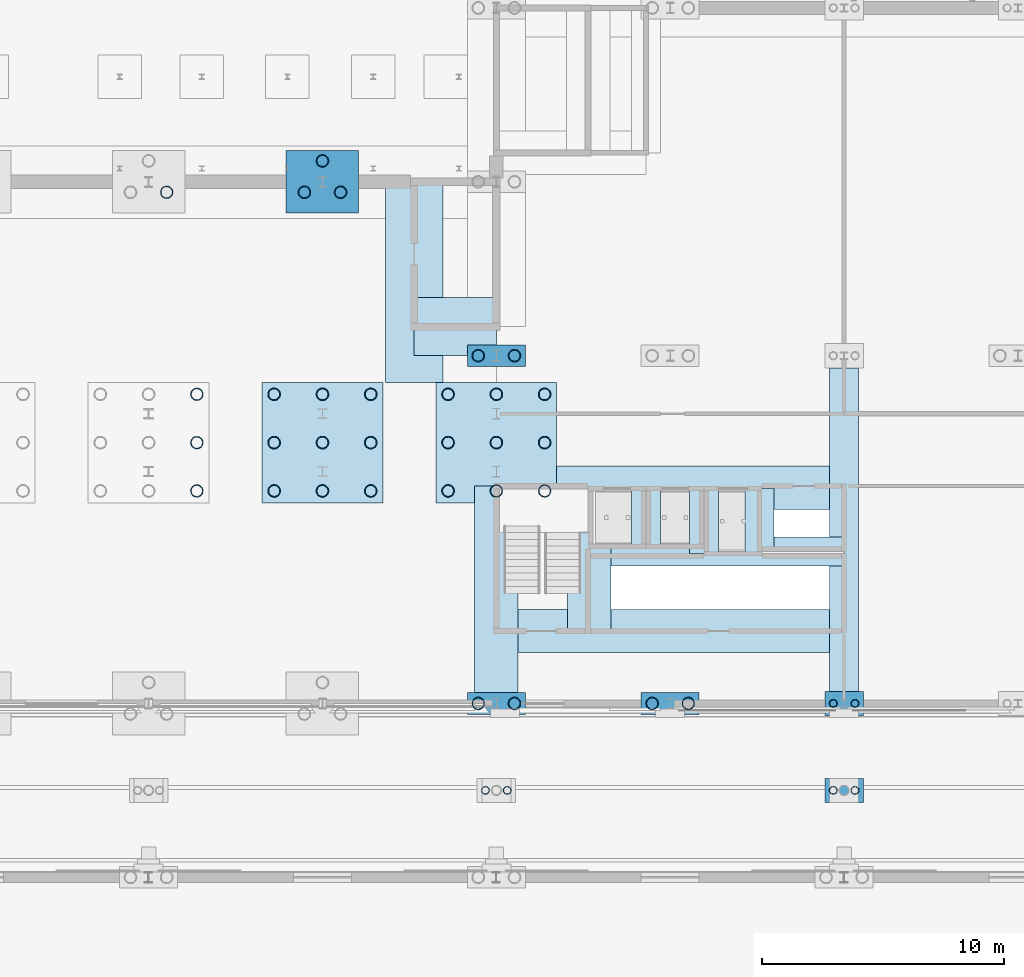
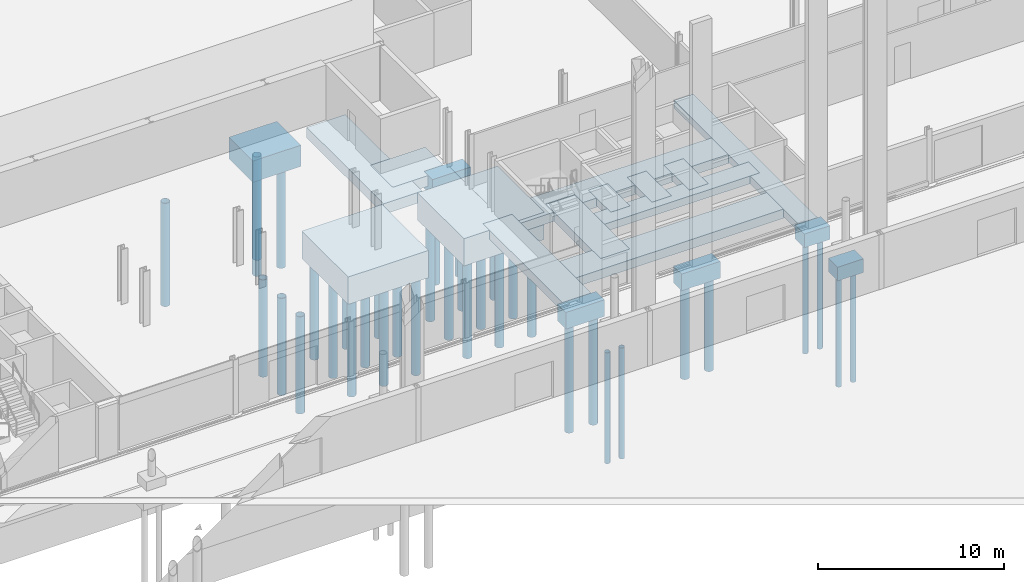
# One storey, part 28 of 148: 37 piles, 19 footings.
"""IFC4 building model written with IfcOpenShell, lengths in metres."""

from ifc_helpers import new_model, si_unit, direction, frame, origin, origin_2d, place, context, subcontext, project, spatial, rectangle, hollow_circle, extrude, material, layer, layer_set, material_profile, profile_set, type_object, element, save


model = new_model("IFC4")

# Units and contexts
model_context = context("Model", 3, precision=1e-05, world=origin(), true_north=direction((0.0, 1.0)))
body_context = subcontext(model_context, "Body", "Model", "MODEL_VIEW")
ifc_project = project(units=[si_unit("LENGTHUNIT", "METRE"), si_unit("AREAUNIT", "SQUARE_METRE"), si_unit("VOLUMEUNIT", "CUBIC_METRE"), si_unit("PLANEANGLEUNIT", "RADIAN"), si_unit("MASSUNIT", "GRAM", prefix="KILO")], contexts=[model_context])

# Site, building, storey
site_placement = place(None, origin())
site = spatial("IfcSite", under=ifc_project, at=site_placement, CompositionType="ELEMENT")
building_placement = place(site_placement, origin())
building = spatial("IfcBuilding", under=site, at=building_placement, Name="Kupolbacken Congress Centre", CompositionType="ELEMENT")
storey_placement = place(building_placement, origin())
storey = spatial("IfcBuildingStorey", under=building, at=storey_placement, Name="L00", CompositionType="ELEMENT", Elevation=0.0)

# Footings
ifc_material_1 = material(Name="Concrete C30/37", Category="concrete")
ifc_layer_1 = layer(ifc_material_1, 1.10009765625)
ifc_layer_set_1 = layer_set([ifc_layer_1], Name="Concrete C30/37")
footing_type_1 = type_object("IfcFootingType", Name="PC2 pile cap 2.40 x 0.90 x 1.10 m", PredefinedType="PILE_CAP", material=ifc_layer_set_1)
for number, where, z_axis, x_axis, name in (
    (1, (136.800048828125, 136.800048828125, -1.400146484375), (0.0, 0.0, 1.0), (1.0, 0.0, 0.0), "S/fnd/C-BF-20V/cap"),
    (2, (144.0, 122.39990234375, -1.400146484375), (0.0, 0.0, 1.0), (1.0, 0.0, 0.0), "S/fnd/C-BF-21T/cap"),
    (3, (136.800048828125, 122.39990234375, -1.400146484375), (0.0, 0.0, 1.0), (1.0, 0.0, 0.0), "S/fnd/C-T-20T/cap"),
):
    element("IfcFooting", number, at=place(storey_placement, frame(where, z_axis=z_axis, x_axis=x_axis)), inside=storey, type_object=footing_type_1, Name=name, PredefinedType="PILE_CAP", context=body_context, shape_type="SweptSolid", body=[
        extrude(rectangle(XDim=2.39990234375, YDim=0.89990234375, at=origin_2d()), origin(), (0.0, 0.0, 1.0), 1.10009765625),
    ])
ifc_material_2 = material(Name="Concrete C30/37", Category="concrete")
ifc_layer_2 = layer(ifc_material_2, 1.39990234375)
ifc_layer_set_2 = layer_set([ifc_layer_2], Name="Concrete C30/37")
footing_type_2 = type_object("IfcFootingType", Name="PC5 pile cap 3.00 x 2.60 x 1.40 m", PredefinedType="PILE_CAP", material=ifc_layer_set_2)
footing_1_placement = place(storey_placement, frame((129.60009765625, 144.0, -1.699951171875), z_axis=(0.0, 0.0, 1.0), x_axis=(1.0, 0.0, 0.0)))
element("IfcFooting", 4, at=footing_1_placement, inside=storey, type_object=footing_type_2, Name="S/fnd/C-T-19W/cap", PredefinedType="PILE_CAP", context=body_context, shape_type="SweptSolid", body=[
    extrude(rectangle(XDim=3.0, YDim=2.60009765625, at=origin_2d()), origin(), (0.0, 0.0, 1.0), 1.39990234375),
])
ifc_material_3 = material(Name="Concrete C30/37", Category="concrete")
ifc_layer_3 = layer(ifc_material_3, 0.89990234375)
ifc_layer_set_3 = layer_set([ifc_layer_3], Name="Concrete C30/37")
footing_type_3 = type_object("IfcFootingType", Name="PC7 pile cap 1.60 x 1.00 x 0.90 m", PredefinedType="PILE_CAP", material=ifc_layer_set_3)
for number, where, z_axis, x_axis, name in (
    (5, (151.199951171875, 122.39990234375, -1.199951171875), (0.0, 0.0, 1.0), (1.0, 0.0, 0.0), "S/fnd/C-B-B1S/cap"),
    (6, (151.199951171875, 118.800048828125, -1.199951171875), (0.0, 0.0, 1.0), (1.0, 0.0, 0.0), "MS/M5N/fnd/cap"),
):
    element("IfcFooting", number, at=place(storey_placement, frame(where, z_axis=z_axis, x_axis=x_axis)), inside=storey, type_object=footing_type_3, Name=name, PredefinedType="PILE_CAP", context=body_context, shape_type="SweptSolid", body=[
        extrude(rectangle(XDim=1.60009765625, YDim=1.0, at=origin_2d()), origin(), (0.0, 0.0, 1.0), 0.89990234375),
    ])
ifc_material_4 = material(Name="Concrete C30/37", Category="concrete")
ifc_layer_4 = layer(ifc_material_4, 1.800048828125)
ifc_layer_set_4 = layer_set([ifc_layer_4], Name="Concrete C30/37")
footing_type_4 = type_object("IfcFootingType", Name="PC9 pile cap 5.00 x 5.00 x 1.80 m", PredefinedType="PILE_CAP", material=ifc_layer_set_4)
for number, where, z_axis, x_axis, name in (
    (7, (129.60009765625, 133.199951171875, -2.10009765625), (0.0, 0.0, 1.0), (1.0, 0.0, 0.0), "S/fnd/T-pair/129.6/cap"),
    (8, (136.800048828125, 133.199951171875, -2.10009765625), (0.0, 0.0, 1.0), (1.0, 0.0, 0.0), "S/fnd/T-pair/136.8/cap"),
):
    element("IfcFooting", number, at=place(storey_placement, frame(where, z_axis=z_axis, x_axis=x_axis)), inside=storey, type_object=footing_type_4, Name=name, PredefinedType="PILE_CAP", context=body_context, shape_type="SweptSolid", body=[
        extrude(rectangle(XDim=5.0, YDim=5.0, at=origin_2d()), origin(), (0.0, 0.0, 1.0), 1.800048828125),
    ])

# Piles
ifc_material_5 = material(Name="Steel S355", Category="steel")
ifc_material_profile_1 = material_profile(ifc_material_5, hollow_circle(Radius=0.161865234375, WallThickness=0.012451171875, at=origin_2d()), Name="CHS 323.9 x 12.5")
ifc_profile_set_1 = profile_set([ifc_material_profile_1], Name="Steel S355")
pile_type_1 = type_object("IfcPileType", Name="PL1 steel tube pile CHS 323.9 x 12.5", PredefinedType="BORED", material=ifc_profile_set_1)
for number, where, z_axis, x_axis, name in (
    (9, (150.75, 122.39990234375, -1.199951171875), (0.0, 0.0, -1.0), (1.0, 0.0, 0.0), "S/fnd/C-B-B1S/pile1"),
    (10, (151.64990234375, 122.39990234375, -1.199951171875), (0.0, 0.0, -1.0), (1.0, 0.0, 0.0), "S/fnd/C-B-B1S/pile2"),
    (11, (136.35009765625, 118.800048828125, -1.199951171875), (0.0, 0.0, -1.0), (1.0, 0.0, 0.0), "MS/M4N/fnd/pile1"),
    (12, (137.25, 118.800048828125, -1.199951171875), (0.0, 0.0, -1.0), (1.0, 0.0, 0.0), "MS/M4N/fnd/pile2"),
    (13, (150.75, 118.800048828125, -1.199951171875), (0.0, 0.0, -1.0), (1.0, 0.0, 0.0), "MS/M5N/fnd/pile1"),
    (14, (151.64990234375, 118.800048828125, -1.199951171875), (0.0, 0.0, -1.0), (1.0, 0.0, 0.0), "MS/M5N/fnd/pile2"),
):
    element("IfcPile", number, at=place(storey_placement, frame(where, z_axis=z_axis, x_axis=x_axis)), inside=storey, type_object=pile_type_1, Name=name, PredefinedType="BORED", context=body_context, shape_type="SweptSolid", body=[
        extrude(hollow_circle(Radius=0.161865234375, WallThickness=0.012451171875, at=origin_2d()), origin(), (0.0, 0.0, 1.0), 7.300048828125),
    ])
ifc_material_6 = material(Name="Steel S355", Category="steel")
ifc_material_profile_2 = material_profile(ifc_material_6, hollow_circle(Radius=0.25390625, WallThickness=0.02001953125, at=origin_2d()), Name="CHS 508 x 20")
ifc_profile_set_2 = profile_set([ifc_material_profile_2], Name="Steel S355")
pile_type_2 = type_object("IfcPileType", Name="PL3 steel tube pile CHS 508 x 20", PredefinedType="BORED", material=ifc_profile_set_2)
for number, where, z_axis, x_axis, name in (
    (15, (136.050048828125, 136.800048828125, -1.39990234375), (0.0, 0.0, -1.0), (1.0, 0.0, 0.0), "S/fnd/C-BF-20V/pile1"),
    (16, (137.550048828125, 136.800048828125, -1.39990234375), (0.0, 0.0, -1.0), (1.0, 0.0, 0.0), "S/fnd/C-BF-20V/pile2"),
    (17, (143.25, 122.39990234375, -1.39990234375), (0.0, 0.0, -1.0), (1.0, 0.0, 0.0), "S/fnd/C-BF-21T/pile1"),
    (18, (144.75, 122.39990234375, -1.39990234375), (0.0, 0.0, -1.0), (1.0, 0.0, 0.0), "S/fnd/C-BF-21T/pile2"),
):
    element("IfcPile", number, at=place(storey_placement, frame(where, z_axis=z_axis, x_axis=x_axis)), inside=storey, type_object=pile_type_2, Name=name, PredefinedType="BORED", context=body_context, shape_type="SweptSolid", body=[
        extrude(hollow_circle(Radius=0.25390625, WallThickness=0.02001953125, at=origin_2d()), origin(), (0.0, 0.0, 1.0), 6.10009765625),
    ])
for number, where, z_axis, x_axis, name in (
    (19, (124.39990234375, 131.199951171875, -2.10009765625), (0.0, 0.0, -1.0), (1.0, 0.0, 0.0), "S/fnd/T-pair/122.4/pile7"),
    (20, (124.39990234375, 133.199951171875, -2.10009765625), (0.0, 0.0, -1.0), (1.0, 0.0, 0.0), "S/fnd/T-pair/122.4/pile8"),
    (21, (124.39990234375, 135.199951171875, -2.10009765625), (0.0, 0.0, -1.0), (1.0, 0.0, 0.0), "S/fnd/T-pair/122.4/pile9"),
):
    element("IfcPile", number, at=place(storey_placement, frame(where, z_axis=z_axis, x_axis=x_axis)), inside=storey, type_object=pile_type_2, Name=name, PredefinedType="BORED", context=body_context, shape_type="SweptSolid", body=[
        extrude(hollow_circle(Radius=0.25390625, WallThickness=0.02001953125, at=origin_2d()), origin(), (0.0, 0.0, 1.0), 6.39990234375),
    ])
pile_placement = place(storey_placement, frame((123.14990234375, 143.56640625, -1.699951171875), z_axis=(0.0, 0.0, -1.0), x_axis=(1.0, 0.0, 0.0)))
element("IfcPile", 22, at=pile_placement, inside=storey, type_object=pile_type_2, Name="S/fnd/C-T-18W/pile2", PredefinedType="BORED", context=body_context, shape_type="SweptSolid", body=[
    extrude(hollow_circle(Radius=0.25390625, WallThickness=0.02001953125, at=origin_2d()), origin(), (0.0, 0.0, 1.0), 6.800048828125),
])
for number, where, z_axis, x_axis, name in (
    (23, (127.60009765625, 131.199951171875, -2.10009765625), (0.0, 0.0, -1.0), (1.0, 0.0, 0.0), "S/fnd/T-pair/129.6/pile1"),
    (24, (127.60009765625, 133.199951171875, -2.10009765625), (0.0, 0.0, -1.0), (1.0, 0.0, 0.0), "S/fnd/T-pair/129.6/pile2"),
    (25, (127.60009765625, 135.199951171875, -2.10009765625), (0.0, 0.0, -1.0), (1.0, 0.0, 0.0), "S/fnd/T-pair/129.6/pile3"),
    (26, (129.60009765625, 131.199951171875, -2.10009765625), (0.0, 0.0, -1.0), (1.0, 0.0, 0.0), "S/fnd/T-pair/129.6/pile4"),
    (27, (129.60009765625, 133.199951171875, -2.10009765625), (0.0, 0.0, -1.0), (1.0, 0.0, 0.0), "S/fnd/T-pair/129.6/pile5"),
    (28, (129.60009765625, 135.199951171875, -2.10009765625), (0.0, 0.0, -1.0), (1.0, 0.0, 0.0), "S/fnd/T-pair/129.6/pile6"),
    (29, (131.60009765625, 131.199951171875, -2.10009765625), (0.0, 0.0, -1.0), (1.0, 0.0, 0.0), "S/fnd/T-pair/129.6/pile7"),
    (30, (131.60009765625, 133.199951171875, -2.10009765625), (0.0, 0.0, -1.0), (1.0, 0.0, 0.0), "S/fnd/T-pair/129.6/pile8"),
    (31, (131.60009765625, 135.199951171875, -2.10009765625), (0.0, 0.0, -1.0), (1.0, 0.0, 0.0), "S/fnd/T-pair/129.6/pile9"),
):
    element("IfcPile", number, at=place(storey_placement, frame(where, z_axis=z_axis, x_axis=x_axis)), inside=storey, type_object=pile_type_2, Name=name, PredefinedType="BORED", context=body_context, shape_type="SweptSolid", body=[
        extrude(hollow_circle(Radius=0.25390625, WallThickness=0.02001953125, at=origin_2d()), origin(), (0.0, 0.0, 1.0), 6.39990234375),
    ])
for number, where, z_axis, x_axis, name in (
    (32, (128.85009765625, 143.56640625, -1.699951171875), (0.0, 0.0, -1.0), (1.0, 0.0, 0.0), "S/fnd/C-T-19W/pile1"),
    (33, (130.35009765625, 143.56640625, -1.699951171875), (0.0, 0.0, -1.0), (1.0, 0.0, 0.0), "S/fnd/C-T-19W/pile2"),
    (34, (129.60009765625, 144.865478515625, -1.699951171875), (0.0, 0.0, -1.0), (1.0, 0.0, 0.0), "S/fnd/C-T-19W/pile3"),
):
    element("IfcPile", number, at=place(storey_placement, frame(where, z_axis=z_axis, x_axis=x_axis)), inside=storey, type_object=pile_type_2, Name=name, PredefinedType="BORED", context=body_context, shape_type="SweptSolid", body=[
        extrude(hollow_circle(Radius=0.25390625, WallThickness=0.02001953125, at=origin_2d()), origin(), (0.0, 0.0, 1.0), 6.800048828125),
    ])
for number, where, z_axis, x_axis, name in (
    (35, (136.050048828125, 122.39990234375, -1.39990234375), (0.0, 0.0, -1.0), (1.0, 0.0, 0.0), "S/fnd/C-T-20T/pile1"),
    (36, (137.550048828125, 122.39990234375, -1.39990234375), (0.0, 0.0, -1.0), (1.0, 0.0, 0.0), "S/fnd/C-T-20T/pile2"),
):
    element("IfcPile", number, at=place(storey_placement, frame(where, z_axis=z_axis, x_axis=x_axis)), inside=storey, type_object=pile_type_2, Name=name, PredefinedType="BORED", context=body_context, shape_type="SweptSolid", body=[
        extrude(hollow_circle(Radius=0.25390625, WallThickness=0.02001953125, at=origin_2d()), origin(), (0.0, 0.0, 1.0), 7.10009765625),
    ])
for number, where, z_axis, x_axis, name in (
    (37, (134.800048828125, 131.199951171875, -2.10009765625), (0.0, 0.0, -1.0), (1.0, 0.0, 0.0), "S/fnd/T-pair/136.8/pile1"),
    (38, (134.800048828125, 133.199951171875, -2.10009765625), (0.0, 0.0, -1.0), (1.0, 0.0, 0.0), "S/fnd/T-pair/136.8/pile2"),
    (39, (134.800048828125, 135.199951171875, -2.10009765625), (0.0, 0.0, -1.0), (1.0, 0.0, 0.0), "S/fnd/T-pair/136.8/pile3"),
    (40, (136.800048828125, 131.199951171875, -2.10009765625), (0.0, 0.0, -1.0), (1.0, 0.0, 0.0), "S/fnd/T-pair/136.8/pile4"),
    (41, (136.800048828125, 133.199951171875, -2.10009765625), (0.0, 0.0, -1.0), (1.0, 0.0, 0.0), "S/fnd/T-pair/136.8/pile5"),
    (42, (136.800048828125, 135.199951171875, -2.10009765625), (0.0, 0.0, -1.0), (1.0, 0.0, 0.0), "S/fnd/T-pair/136.8/pile6"),
    (43, (138.800048828125, 131.199951171875, -2.10009765625), (0.0, 0.0, -1.0), (1.0, 0.0, 0.0), "S/fnd/T-pair/136.8/pile7"),
    (44, (138.800048828125, 133.199951171875, -2.10009765625), (0.0, 0.0, -1.0), (1.0, 0.0, 0.0), "S/fnd/T-pair/136.8/pile8"),
    (45, (138.800048828125, 135.199951171875, -2.10009765625), (0.0, 0.0, -1.0), (1.0, 0.0, 0.0), "S/fnd/T-pair/136.8/pile9"),
):
    element("IfcPile", number, at=place(storey_placement, frame(where, z_axis=z_axis, x_axis=x_axis)), inside=storey, type_object=pile_type_2, Name=name, PredefinedType="BORED", context=body_context, shape_type="SweptSolid", body=[
        extrude(hollow_circle(Radius=0.25390625, WallThickness=0.02001953125, at=origin_2d()), origin(), (0.0, 0.0, 1.0), 6.39990234375),
    ])

# Footings
ifc_material_7 = material(Name="Concrete C30/37", Category="concrete")
ifc_layer_5 = layer(ifc_material_7, 0.5)
ifc_layer_set_5 = layer_set([ifc_layer_5], Name="Concrete C30/37")
footing_type_5 = type_object("IfcFootingType", Name="SF1 strip footing 1.20 x 0.50 m", PredefinedType="STRIP_FOOTING", material=ifc_layer_set_5)
footing_2_placement = place(storey_placement, frame((151.199951171875, 129.60009765625, -0.800048828125), z_axis=(0.0, 0.0, 1.0), x_axis=(0.0, 1.0, 0.0)))
element("IfcFooting", 46, at=footing_2_placement, inside=storey, type_object=footing_type_5, Name="S/fnd/core/085", PredefinedType="STRIP_FOOTING", context=body_context, shape_type="SweptSolid", body=[
    extrude(rectangle(XDim=13.39990234375, YDim=1.199951171875, at=origin_2d()), origin(), (0.0, 0.0, 1.0), 0.5),
])
footing_3_placement = place(storey_placement, frame((145.89990234375, 128.6875, -0.800048828125), z_axis=(0.0, 0.0, 1.0), x_axis=(1.0, 0.0, 0.0)))
element("IfcFooting", 47, at=footing_3_placement, inside=storey, type_object=footing_type_5, Name="S/fnd/core/095", PredefinedType="STRIP_FOOTING", context=body_context, shape_type="SweptSolid", body=[
    extrude(rectangle(XDim=10.60009765625, YDim=1.199951171875, at=origin_2d()), origin(), (0.0, 0.0, 1.0), 0.5),
])
footing_4_placement = place(storey_placement, frame((143.0, 130.10009765625, -0.800048828125), z_axis=(0.0, 0.0, 1.0), x_axis=(0.0, 1.0, 0.0)))
element("IfcFooting", 48, at=footing_4_placement, inside=storey, type_object=footing_type_5, Name="S/fnd/lift/086", PredefinedType="STRIP_FOOTING", context=body_context, shape_type="SweptSolid", body=[
    extrude(rectangle(XDim=2.39990234375, YDim=1.199951171875, at=origin_2d()), origin(), (0.0, 0.0, 1.0), 0.5),
])
for number, where, z_axis, x_axis, name in (
    (49, (145.39990234375, 129.949951171875, -0.800048828125), (0.0, 0.0, 1.0), (0.0, 1.0, 0.0), "S/fnd/lift/090"),
    (50, (147.699951171875, 129.949951171875, -0.800048828125), (0.0, 0.0, 1.0), (0.0, 1.0, 0.0), "S/fnd/lift/094"),
):
    element("IfcFooting", number, at=place(storey_placement, frame(where, z_axis=z_axis, x_axis=x_axis)), inside=storey, type_object=footing_type_5, Name=name, PredefinedType="STRIP_FOOTING", context=body_context, shape_type="SweptSolid", body=[
        extrude(rectangle(XDim=2.699951171875, YDim=1.199951171875, at=origin_2d()), origin(), (0.0, 0.0, 1.0), 0.5),
    ])
ifc_material_8 = material(Name="Concrete C30/37", Category="concrete")
ifc_layer_6 = layer(ifc_material_8, 0.60009765625)
ifc_layer_set_6 = layer_set([ifc_layer_6], Name="Concrete C30/37")
footing_type_6 = type_object("IfcFootingType", Name="SF2 strip footing 1.80 x 0.60 m", PredefinedType="STRIP_FOOTING", material=ifc_layer_set_6)
footing_5_placement = place(storey_placement, frame((144.0, 125.39990234375, -0.900146484375), z_axis=(0.0, 0.0, 1.0), x_axis=(1.0, 0.0, 0.0)))
element("IfcFooting", 51, at=footing_5_placement, inside=storey, type_object=footing_type_6, Name="S/fnd/core/082", PredefinedType="STRIP_FOOTING", context=body_context, shape_type="SweptSolid", body=[
    extrude(rectangle(XDim=14.39990234375, YDim=1.800048828125, at=origin_2d()), origin(), (0.0, 0.0, 1.0), 0.60009765625),
])
footing_6_placement = place(storey_placement, frame((140.64990234375, 128.35009765625, -0.900146484375), z_axis=(0.0, 0.0, 1.0), x_axis=(0.0, 1.0, 0.0)))
element("IfcFooting", 52, at=footing_6_placement, inside=storey, type_object=footing_type_6, Name="S/fnd/core/084", PredefinedType="STRIP_FOOTING", context=body_context, shape_type="SweptSolid", body=[
    extrude(rectangle(XDim=5.89990234375, YDim=1.800048828125, at=origin_2d()), origin(), (0.0, 0.0, 1.0), 0.60009765625),
])
footing_7_placement = place(storey_placement, frame((136.800048828125, 127.125, -0.900146484375), z_axis=(0.0, 0.0, 1.0), x_axis=(0.0, 1.0, 0.0)))
element("IfcFooting", 53, at=footing_7_placement, inside=storey, type_object=footing_type_6, Name="S/fnd/core/101", PredefinedType="STRIP_FOOTING", context=body_context, shape_type="SweptSolid", body=[
    extrude(rectangle(XDim=8.550048828125, YDim=1.800048828125, at=origin_2d()), origin(), (0.0, 0.0, 1.0), 0.60009765625),
])
footing_8_placement = place(storey_placement, frame((144.0, 131.33740234375, -0.900146484375), z_axis=(0.0, 0.0, 1.0), x_axis=(1.0, 0.0, 0.0)))
element("IfcFooting", 54, at=footing_8_placement, inside=storey, type_object=footing_type_6, Name="S/fnd/core/102", PredefinedType="STRIP_FOOTING", context=body_context, shape_type="SweptSolid", body=[
    extrude(rectangle(XDim=14.39990234375, YDim=1.800048828125, at=origin_2d()), origin(), (0.0, 0.0, 1.0), 0.60009765625),
])
ifc_material_9 = material(Name="Concrete C30/37", Category="concrete")
ifc_layer_7 = layer(ifc_material_9, 0.699951171875)
ifc_layer_set_7 = layer_set([ifc_layer_7], Name="Concrete C30/37")
footing_type_7 = type_object("IfcFootingType", Name="SF3 strip footing 2.40 x 0.70 m", PredefinedType="STRIP_FOOTING", material=ifc_layer_set_7)
footing_9_placement = place(storey_placement, frame((135.10009765625, 138.0, -1.0), z_axis=(0.0, 0.0, 1.0), x_axis=(1.0, 0.0, 0.0)))
element("IfcFooting", 55, at=footing_9_placement, inside=storey, type_object=footing_type_7, Name="S/fnd/core/122", PredefinedType="STRIP_FOOTING", context=body_context, shape_type="SweptSolid", body=[
    extrude(rectangle(XDim=3.39990234375, YDim=2.39990234375, at=origin_2d()), origin(), (0.0, 0.0, 1.0), 0.699951171875),
])
footing_10_placement = place(storey_placement, frame((133.39990234375, 139.85009765625, -1.0), z_axis=(0.0, 0.0, 1.0), x_axis=(0.0, 1.0, 0.0)))
element("IfcFooting", 56, at=footing_10_placement, inside=storey, type_object=footing_type_7, Name="S/fnd/core/130", PredefinedType="STRIP_FOOTING", context=body_context, shape_type="SweptSolid", body=[
    extrude(rectangle(XDim=8.300048828125, YDim=2.39990234375, at=origin_2d()), origin(), (0.0, 0.0, 1.0), 0.699951171875),
])

save(model, "model.ifc")
